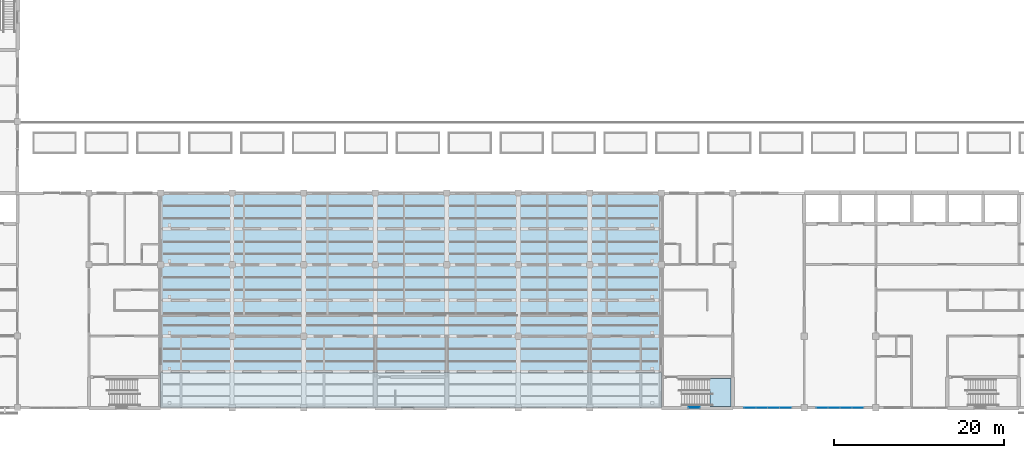
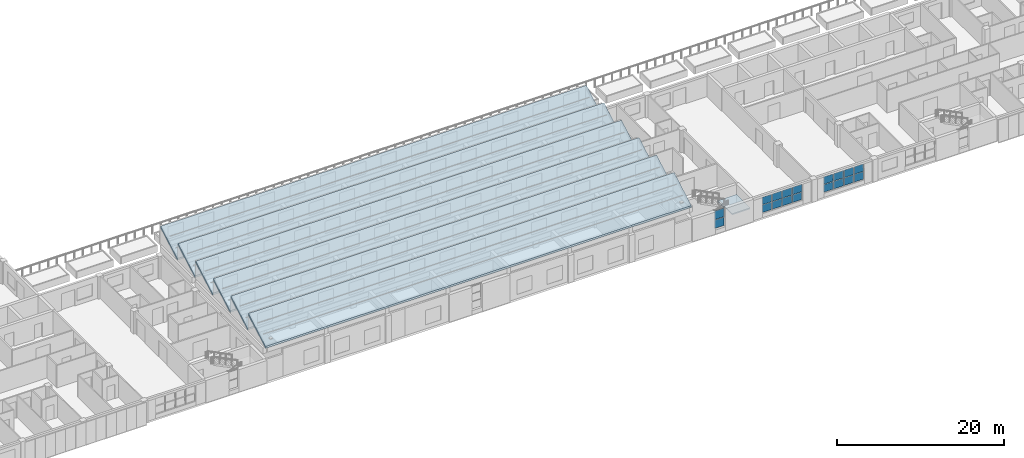
# One storey, part 23 of 61: 18 plates, 7 slabs, 4 elements without a shape of their own.
"""IFC4 building model written with IfcOpenShell, lengths in metres."""

from ifc_helpers import new_model, si_unit, direction, frame, origin, origin_2d, place, context, subcontext, project, spatial, polyline, rectangle, outline, extrude, material, layer, layer_set, type_object, element, aggregate, save


model = new_model("IFC4")

# Units and contexts
model_context = context("Model", 3, precision=1e-05, world=origin(), true_north=direction((0.0, 1.0)))
body_context = subcontext(model_context, "Body", "Model", "MODEL_VIEW")
ifc_project = project(units=[si_unit("LENGTHUNIT", "METRE"), si_unit("AREAUNIT", "SQUARE_METRE"), si_unit("VOLUMEUNIT", "CUBIC_METRE"), si_unit("PLANEANGLEUNIT", "RADIAN"), si_unit("MASSUNIT", "GRAM", prefix="KILO")], contexts=[model_context])

# Site, building, storey
site_placement = place(None, origin())
site = spatial("IfcSite", under=ifc_project, at=site_placement, CompositionType="ELEMENT")
building_placement = place(site_placement, origin())
building = spatial("IfcBuilding", under=site, at=building_placement, Name="Yavir Park General Hospital", CompositionType="ELEMENT")
storey_placement = place(building_placement, frame((0.0, 0.0, 15.300048828125)))
storey = spatial("IfcBuildingStorey", under=building, at=storey_placement, Name="L03", CompositionType="ELEMENT", Elevation=15.300048828125)

# Curtain wall, plates
ifc_material_1 = material(Name="Aluminium curtain wall frame with insulated glazing", Category="aluminium")
curtain_wall_type_1 = type_object("IfcCurtainWallType", Name="Day room pocket glazing, ward floors, 2360 high, 1400 module", PredefinedType="NOTDEFINED", material=ifc_material_1)
curtain_wall_1_placement = place(storey_placement, origin())
curtain_wall_1 = element("IfcCurtainWall", 1, at=curtain_wall_1_placement, inside=storey, type_object=curtain_wall_type_1, Name="CW6 L03-006", PredefinedType="NOTDEFINED")
ifc_material_2 = material(Name="Insulated glazed unit 30 mm, low-e coating")
ifc_layer_1 = layer(ifc_material_2, 0.030029296875)
ifc_layer_set_1 = layer_set([ifc_layer_1], Name="Insulated glazed unit 30 mm, low-e coating")
plate_type_1 = type_object("IfcPlateType", Name="Day room pocket glazing, ward floors, 2360 high panel 30", PredefinedType="CURTAIN_PANEL", material=ifc_layer_set_1)
plate_1_placement = place(storey_placement, frame((111.215087890625, 0.0, 0.65966796875), z_axis=(0.0, 0.0, 1.0), x_axis=(1.0, 0.0, 0.0)))
plate_1 = element("IfcPlate", 2, at=plate_1_placement, type_object=plate_type_1, Name="CW6 panel 1.1", PredefinedType="CURTAIN_PANEL", context=body_context, shape_type="SweptSolid", body=[
    extrude(rectangle(XDim=1.31005859375, YDim=0.030029296875, at=origin_2d()), origin(), (0.0, 0.0, 1.0), 1.090087890625),
])
plate_2_placement = place(storey_placement, frame((111.215087890625, 0.0, 1.81005859375), z_axis=(0.0, 0.0, 1.0), x_axis=(1.0, 0.0, 0.0)))
plate_2 = element("IfcPlate", 3, at=plate_2_placement, type_object=plate_type_1, Name="CW6 panel 1.2", PredefinedType="CURTAIN_PANEL", context=body_context, shape_type="SweptSolid", body=[
    extrude(rectangle(XDim=1.31005859375, YDim=0.030029296875, at=origin_2d()), origin(), (0.0, 0.0, 1.0), 1.090087890625),
])
plate_3_placement = place(storey_placement, frame((112.60009765625, 0.0, 0.65966796875), z_axis=(0.0, 0.0, 1.0), x_axis=(1.0, 0.0, 0.0)))
plate_3 = element("IfcPlate", 4, at=plate_3_placement, type_object=plate_type_1, Name="CW6 panel 2.1", PredefinedType="CURTAIN_PANEL", context=body_context, shape_type="SweptSolid", body=[
    extrude(rectangle(XDim=1.340087890625, YDim=0.030029296875, at=origin_2d()), origin(), (0.0, 0.0, 1.0), 1.090087890625),
])
plate_4_placement = place(storey_placement, frame((112.60009765625, 0.0, 1.81005859375), z_axis=(0.0, 0.0, 1.0), x_axis=(1.0, 0.0, 0.0)))
plate_4 = element("IfcPlate", 5, at=plate_4_placement, type_object=plate_type_1, Name="CW6 panel 2.2", PredefinedType="CURTAIN_PANEL", context=body_context, shape_type="SweptSolid", body=[
    extrude(rectangle(XDim=1.340087890625, YDim=0.030029296875, at=origin_2d()), origin(), (0.0, 0.0, 1.0), 1.090087890625),
])
plate_5_placement = place(storey_placement, frame((114.0, 0.0, 0.65966796875), z_axis=(0.0, 0.0, 1.0), x_axis=(1.0, 0.0, 0.0)))
plate_5 = element("IfcPlate", 6, at=plate_5_placement, type_object=plate_type_1, Name="CW6 panel 3.1", PredefinedType="CURTAIN_PANEL", context=body_context, shape_type="SweptSolid", body=[
    extrude(rectangle(XDim=1.340087890625, YDim=0.030029296875, at=origin_2d()), origin(), (0.0, 0.0, 1.0), 1.090087890625),
])
plate_6_placement = place(storey_placement, frame((114.0, 0.0, 1.81005859375), z_axis=(0.0, 0.0, 1.0), x_axis=(1.0, 0.0, 0.0)))
plate_6 = element("IfcPlate", 7, at=plate_6_placement, type_object=plate_type_1, Name="CW6 panel 3.2", PredefinedType="CURTAIN_PANEL", context=body_context, shape_type="SweptSolid", body=[
    extrude(rectangle(XDim=1.340087890625, YDim=0.030029296875, at=origin_2d()), origin(), (0.0, 0.0, 1.0), 1.090087890625),
])
plate_7_placement = place(storey_placement, frame((115.385009765625, 0.0, 0.65966796875), z_axis=(0.0, 0.0, 1.0), x_axis=(1.0, 0.0, 0.0)))
plate_7 = element("IfcPlate", 8, at=plate_7_placement, type_object=plate_type_1, Name="CW6 panel 4.1", PredefinedType="CURTAIN_PANEL", context=body_context, shape_type="SweptSolid", body=[
    extrude(rectangle(XDim=1.31005859375, YDim=0.030029296875, at=origin_2d()), origin(), (0.0, 0.0, 1.0), 1.090087890625),
])
plate_8_placement = place(storey_placement, frame((115.385009765625, 0.0, 1.81005859375), z_axis=(0.0, 0.0, 1.0), x_axis=(1.0, 0.0, 0.0)))
plate_8 = element("IfcPlate", 9, at=plate_8_placement, type_object=plate_type_1, Name="CW6 panel 4.2", PredefinedType="CURTAIN_PANEL", context=body_context, shape_type="SweptSolid", body=[
    extrude(rectangle(XDim=1.31005859375, YDim=0.030029296875, at=origin_2d()), origin(), (0.0, 0.0, 1.0), 1.090087890625),
])
aggregate(curtain_wall_1, [plate_1, plate_2, plate_3, plate_4, plate_5, plate_6, plate_7, plate_8])

curtain_wall_2_placement = place(storey_placement, origin())
curtain_wall_2 = element("IfcCurtainWall", 10, at=curtain_wall_2_placement, inside=storey, type_object=curtain_wall_type_1, Name="CW6 L03-007", PredefinedType="NOTDEFINED")
plate_9_placement = place(storey_placement, frame((119.715087890625, 0.0, 0.65966796875), z_axis=(0.0, 0.0, 1.0), x_axis=(1.0, 0.0, 0.0)))
plate_9 = element("IfcPlate", 11, at=plate_9_placement, type_object=plate_type_1, Name="CW6 panel 1.1", PredefinedType="CURTAIN_PANEL", context=body_context, shape_type="SweptSolid", body=[
    extrude(rectangle(XDim=1.31005859375, YDim=0.030029296875, at=origin_2d()), origin(), (0.0, 0.0, 1.0), 1.090087890625),
])
plate_10_placement = place(storey_placement, frame((119.715087890625, 0.0, 1.81005859375), z_axis=(0.0, 0.0, 1.0), x_axis=(1.0, 0.0, 0.0)))
plate_10 = element("IfcPlate", 12, at=plate_10_placement, type_object=plate_type_1, Name="CW6 panel 1.2", PredefinedType="CURTAIN_PANEL", context=body_context, shape_type="SweptSolid", body=[
    extrude(rectangle(XDim=1.31005859375, YDim=0.030029296875, at=origin_2d()), origin(), (0.0, 0.0, 1.0), 1.090087890625),
])
plate_11_placement = place(storey_placement, frame((121.10009765625, 0.0, 0.65966796875), z_axis=(0.0, 0.0, 1.0), x_axis=(1.0, 0.0, 0.0)))
plate_11 = element("IfcPlate", 13, at=plate_11_placement, type_object=plate_type_1, Name="CW6 panel 2.1", PredefinedType="CURTAIN_PANEL", context=body_context, shape_type="SweptSolid", body=[
    extrude(rectangle(XDim=1.340087890625, YDim=0.030029296875, at=origin_2d()), origin(), (0.0, 0.0, 1.0), 1.090087890625),
])
plate_12_placement = place(storey_placement, frame((121.10009765625, 0.0, 1.81005859375), z_axis=(0.0, 0.0, 1.0), x_axis=(1.0, 0.0, 0.0)))
plate_12 = element("IfcPlate", 14, at=plate_12_placement, type_object=plate_type_1, Name="CW6 panel 2.2", PredefinedType="CURTAIN_PANEL", context=body_context, shape_type="SweptSolid", body=[
    extrude(rectangle(XDim=1.340087890625, YDim=0.030029296875, at=origin_2d()), origin(), (0.0, 0.0, 1.0), 1.090087890625),
])
plate_13_placement = place(storey_placement, frame((122.5, 0.0, 0.65966796875), z_axis=(0.0, 0.0, 1.0), x_axis=(1.0, 0.0, 0.0)))
plate_13 = element("IfcPlate", 15, at=plate_13_placement, type_object=plate_type_1, Name="CW6 panel 3.1", PredefinedType="CURTAIN_PANEL", context=body_context, shape_type="SweptSolid", body=[
    extrude(rectangle(XDim=1.340087890625, YDim=0.030029296875, at=origin_2d()), origin(), (0.0, 0.0, 1.0), 1.090087890625),
])
plate_14_placement = place(storey_placement, frame((122.5, 0.0, 1.81005859375), z_axis=(0.0, 0.0, 1.0), x_axis=(1.0, 0.0, 0.0)))
plate_14 = element("IfcPlate", 16, at=plate_14_placement, type_object=plate_type_1, Name="CW6 panel 3.2", PredefinedType="CURTAIN_PANEL", context=body_context, shape_type="SweptSolid", body=[
    extrude(rectangle(XDim=1.340087890625, YDim=0.030029296875, at=origin_2d()), origin(), (0.0, 0.0, 1.0), 1.090087890625),
])
plate_15_placement = place(storey_placement, frame((123.885009765625, 0.0, 0.65966796875), z_axis=(0.0, 0.0, 1.0), x_axis=(1.0, 0.0, 0.0)))
plate_15 = element("IfcPlate", 17, at=plate_15_placement, type_object=plate_type_1, Name="CW6 panel 4.1", PredefinedType="CURTAIN_PANEL", context=body_context, shape_type="SweptSolid", body=[
    extrude(rectangle(XDim=1.31005859375, YDim=0.030029296875, at=origin_2d()), origin(), (0.0, 0.0, 1.0), 1.090087890625),
])
plate_16_placement = place(storey_placement, frame((123.885009765625, 0.0, 1.81005859375), z_axis=(0.0, 0.0, 1.0), x_axis=(1.0, 0.0, 0.0)))
plate_16 = element("IfcPlate", 18, at=plate_16_placement, type_object=plate_type_1, Name="CW6 panel 4.2", PredefinedType="CURTAIN_PANEL", context=body_context, shape_type="SweptSolid", body=[
    extrude(rectangle(XDim=1.31005859375, YDim=0.030029296875, at=origin_2d()), origin(), (0.0, 0.0, 1.0), 1.090087890625),
])
aggregate(curtain_wall_2, [plate_9, plate_10, plate_11, plate_12, plate_13, plate_14, plate_15, plate_16])

# Stair, slab
ifc_material_3 = material(Name="Concrete C30/37", Category="concrete")
stair_type = type_object("IfcStairType", Name="Patient escape stair, 24 risers of 150 mm, 1400 mm flights", PredefinedType="HALF_TURN_STAIR", material=ifc_material_3)
stair_placement = place(storey_placement, origin())
stair = element("IfcStair", 19, at=stair_placement, inside=storey, type_object=stair_type, Name="Stair SU4, L03 to L04", PredefinedType="HALF_TURN_STAIR")
ifc_material_4 = material(Name="Concrete C30/37", Category="concrete")
ifc_layer_2 = layer(ifc_material_4, 0.159912109375)
ifc_layer_set_2 = layer_set([ifc_layer_2], Name="Concrete C30/37")
slab_type_1 = type_object("IfcSlabType", Name="Patient escape stair half landing, reinforced concrete 160 mm", PredefinedType="LANDING", material=ifc_layer_set_2)
slab_1_placement = place(storey_placement, frame((0.0, 0.0, 1.639892578125)))
slab_1 = element("IfcSlab", 20, at=slab_1_placement, type_object=slab_type_1, Name="SU4 landing 1", PredefinedType="LANDING", context=body_context, shape_type="SweptSolid", body=[
    extrude(outline(polyline([(106.49853515625, 0.14990234375), (109.0, 0.14990234375), (109.0, 3.39990234375), (106.35009765625, 3.39990234375), (106.35009765625, 1.949951171875), (106.49853515625, 1.949951171875), (106.49853515625, 0.14990234375)])), origin(), (0.0, 0.0, 1.0), 0.16015625),
])
aggregate(stair, [slab_1])

# Slabs
ifc_material_5 = material(Name="Concrete C35/45", Category="concrete")
ifc_layer_3 = layer(ifc_material_5, 0.219970703125)
ifc_layer_set_3 = layer_set([ifc_layer_3], Name="Concrete C35/45")
slab_type_2 = type_object("IfcSlabType", Name="RC SLAB ROOF 220", PredefinedType="ROOF", material=ifc_layer_set_3)
slab_2_placement = place(storey_placement, frame((100.800048828125, 0.0, 5.099853515625), z_axis=(0.0, 0.0, 1.0), x_axis=(0.0, 1.0, 0.0)))
element("IfcSlab", 21, at=slab_2_placement, inside=storey, type_object=slab_type_2, Name="RF:SAW:T01", PredefinedType="ROOF", context=body_context, shape_type="SweptSolid", body=[
    extrude(outline(polyline([(0.0, 0.0), (4.10009765625, 2.343017578125), (4.10009765625, 2.089599609375), (0.0, -0.25341796875), (0.0, 0.0)])), frame((0.0, 58.800048828125, 0.0), z_axis=(0.0, -1.0, 0.0), x_axis=(1.0, 0.0, 0.0)), (0.0, 0.0, 1.0), 58.800048828125),
])
for number, where, z_axis, x_axis, name in (
    (22, (100.800048828125, 4.300048828125, 5.156982421875), (0.0, 0.0, 1.0), (0.0, 1.0, 0.0), "RF:SAW:T02"),
    (23, (100.800048828125, 8.5, 5.156982421875), (0.0, 0.0, 1.0), (0.0, 1.0, 0.0), "RF:SAW:T03"),
    (24, (100.800048828125, 12.699951171875, 5.156982421875), (0.0, 0.0, 1.0), (0.0, 1.0, 0.0), "RF:SAW:T04"),
    (25, (100.800048828125, 16.89990234375, 5.156982421875), (0.0, 0.0, 1.0), (0.0, 1.0, 0.0), "RF:SAW:T05"),
    (26, (100.800048828125, 21.10009765625, 5.156982421875), (0.0, 0.0, 1.0), (0.0, 1.0, 0.0), "RF:SAW:T06"),
):
    element("IfcSlab", number, at=place(storey_placement, frame(where, z_axis=z_axis, x_axis=x_axis)), inside=storey, type_object=slab_type_2, Name=name, PredefinedType="ROOF", context=body_context, shape_type="SweptSolid", body=[
        extrude(outline(polyline([(0.0, 0.0), (4.0, 2.285888671875), (4.0, 2.032470703125), (0.0, -0.25341796875), (0.0, 0.0)])), frame((0.0, 58.800048828125, 0.0), z_axis=(0.0, -1.0, 0.0), x_axis=(1.0, 0.0, 0.0)), (0.0, 0.0, 1.0), 58.800048828125),
    ])

# Curtain wall, plates
ifc_material_6 = material(Name="Aluminium curtain wall frame with insulated glazing", Category="aluminium")
curtain_wall_type_2 = type_object("IfcCurtainWallType", Name="Stair light slot, ward floors, 2660 high, 1400 module", PredefinedType="NOTDEFINED", material=ifc_material_6)
curtain_wall_3_placement = place(storey_placement, origin())
curtain_wall_3 = element("IfcCurtainWall", 27, at=curtain_wall_3_placement, inside=storey, type_object=curtain_wall_type_2, Name="CW10 L03-005", PredefinedType="NOTDEFINED")
ifc_material_7 = material(Name="Fire-resisting glazed unit 70 mm")
ifc_layer_4 = layer(ifc_material_7, 0.070068359375)
ifc_layer_set_4 = layer_set([ifc_layer_4], Name="Fire-resisting glazed unit 70 mm")
plate_type_2 = type_object("IfcPlateType", Name="Stair light slot, ward floors, 2660 high panel 70", PredefinedType="CURTAIN_PANEL", material=ifc_layer_set_4)
plate_17_placement = place(storey_placement, frame((104.64990234375, 0.0, 0.64990234375), z_axis=(0.0, 0.0, 1.0), x_axis=(1.0, 0.0, 0.0)))
plate_17 = element("IfcPlate", 28, at=plate_17_placement, type_object=plate_type_2, Name="CW10 panel 1.1", PredefinedType="CURTAIN_PANEL", context=body_context, shape_type="SweptSolid", body=[
    extrude(rectangle(XDim=1.300048828125, YDim=0.070068359375, at=origin_2d()), origin(), (0.0, 0.0, 1.0), 1.2548828125),
])
plate_18_placement = place(storey_placement, frame((104.64990234375, 0.0, 1.955078125), z_axis=(0.0, 0.0, 1.0), x_axis=(1.0, 0.0, 0.0)))
plate_18 = element("IfcPlate", 29, at=plate_18_placement, type_object=plate_type_2, Name="CW10 panel 1.2", PredefinedType="CURTAIN_PANEL", context=body_context, shape_type="SweptSolid", body=[
    extrude(rectangle(XDim=1.300048828125, YDim=0.070068359375, at=origin_2d()), origin(), (0.0, 0.0, 1.0), 1.2548828125),
])
aggregate(curtain_wall_3, [plate_17, plate_18])

save(model, "model.ifc")
